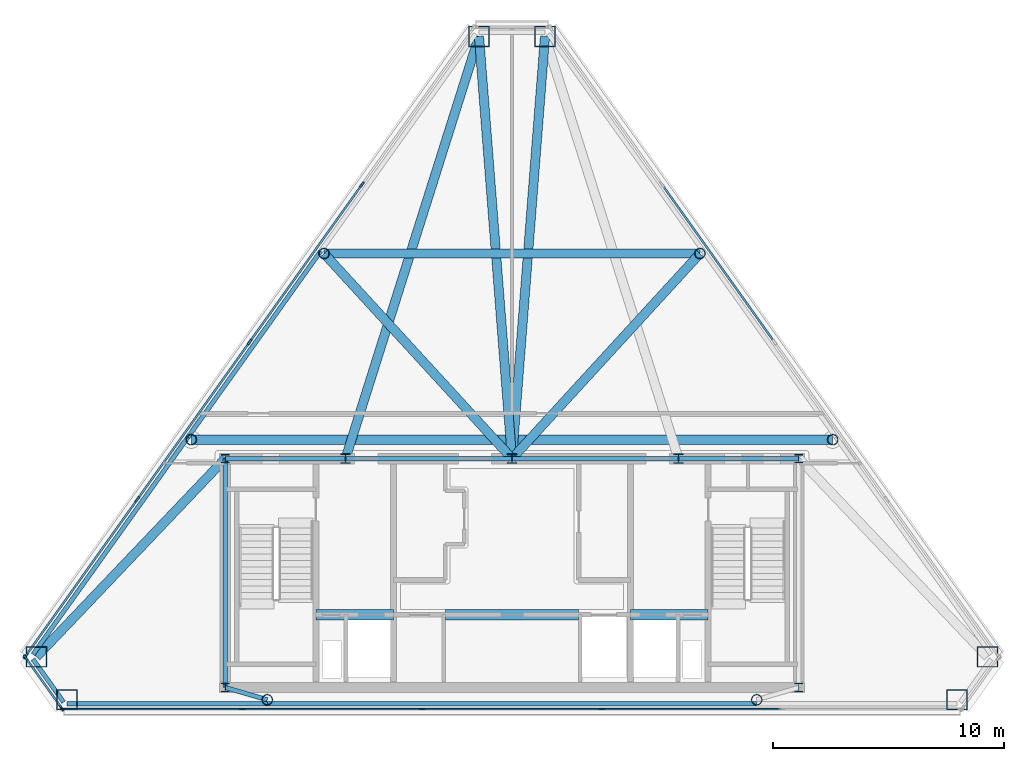
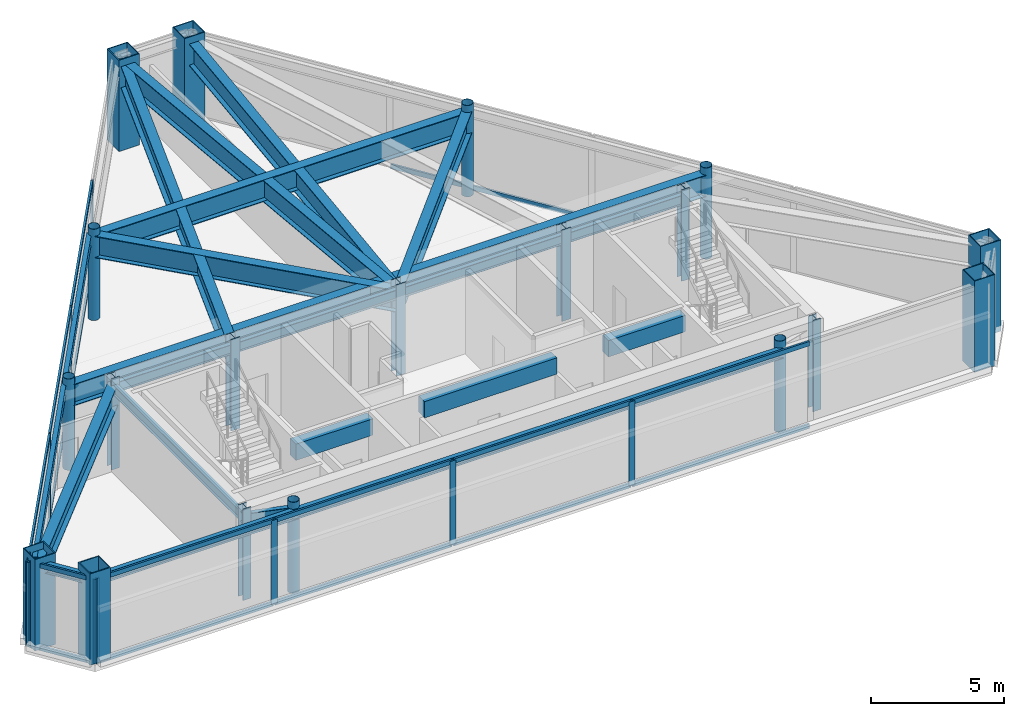
# One storey, part 1 of 5: 27 members, 22 beams, 19 columns, 4 elements without a shape of their own.
"""IFC4 building model written with IfcOpenShell, lengths in metres."""

from ifc_helpers import new_model, si_unit, direction, frame, origin, origin_2d, place, context, subcontext, project, spatial, rectangle, hollow_rectangle, hollow_circle, i_section, extrude, material, layer, layer_set, material_profile, profile_set, type_object, element, aggregate, save


model = new_model("IFC4")

# Units and contexts
model_context = context("Model", 3, precision=1e-05, world=origin(), true_north=direction((0.0, 1.0)))
body_context = subcontext(model_context, "Body", "Model", "MODEL_VIEW")
ifc_project = project(units=[si_unit("LENGTHUNIT", "METRE"), si_unit("AREAUNIT", "SQUARE_METRE"), si_unit("VOLUMEUNIT", "CUBIC_METRE"), si_unit("PLANEANGLEUNIT", "RADIAN"), si_unit("MASSUNIT", "GRAM", prefix="KILO")], contexts=[model_context])

# Site, building, storey
site_placement = place(None, origin())
site = spatial("IfcSite", under=ifc_project, at=site_placement, CompositionType="ELEMENT")
building_placement = place(site_placement, origin())
building = spatial("IfcBuilding", under=site, at=building_placement, Name="Talgorran Terracotta Tower", CompositionType="ELEMENT")
storey_placement = place(building_placement, frame((0.0, 0.0, 301.800048828125)))
storey = spatial("IfcBuildingStorey", under=building, at=storey_placement, Name="L79", CompositionType="ELEMENT", Elevation=301.800048828125)

# Columns
ifc_material_1 = material(Name="Steel S355 (300PLUS)", Category="steel")
ifc_material_profile_1 = material_profile(ifc_material_1, i_section(OverallWidth=0.35205078125, OverallDepth=0.35888671875, WebThickness=0.01806640625, FlangeThickness=0.02587890625, at=origin_2d()), Name="350WC197")
ifc_profile_set_1 = profile_set([ifc_material_profile_1], Name="Steel S355 (300PLUS)")
column_type_1 = type_object("IfcColumnType", Name="COL_350WC197", PredefinedType="COLUMN", material=ifc_profile_set_1)
for number, where, z_axis, x_axis, name in (
    (1, (-12.39990234375, -14.10009765625, 0.0), (0.0, 0.0, 1.0), (1.0, 0.0, 0.0), "L79 Core Boundary Column CC1"),
    (2, (12.39990234375, -14.10009765625, 0.0), (0.0, 0.0, 1.0), (1.0, 0.0, 0.0), "L79 Core Boundary Column CC2"),
    (3, (12.39990234375, -4.199951171875, 0.0), (0.0, 0.0, 1.0), (1.0, 0.0, 0.0), "L79 Core Boundary Column CC3"),
    (4, (-12.39990234375, -4.199951171875, 0.0), (0.0, 0.0, 1.0), (1.0, 0.0, 0.0), "L79 Core Boundary Column CC4"),
):
    element("IfcColumn", number, at=place(storey_placement, frame(where, z_axis=z_axis, x_axis=x_axis)), inside=storey, type_object=column_type_1, Name=name, PredefinedType="COLUMN", context=body_context, shape_type="SweptSolid", body=[
        extrude(i_section(OverallWidth=0.35205078125, OverallDepth=0.35888671875, WebThickness=0.01806640625, FlangeThickness=0.02587890625, at=origin_2d()), origin(), (0.0, 0.0, 1.0), 4.199951171875),
    ])
ifc_material_2 = material(Name="Steel Grade 350 (350L0)", Category="steel")
ifc_material_profile_2 = material_profile(ifc_material_2, hollow_rectangle(XDim=0.89990234375, YDim=0.89990234375, WallThickness=0.0400390625, at=origin_2d()), Name="CFT900X900X40")
ifc_profile_set_2 = profile_set([ifc_material_profile_2], Name="Steel Grade 350 (350L0)")
column_type_2 = type_object("IfcColumnType", Name="COL_CFT_900", PredefinedType="COLUMN", material=ifc_profile_set_2)
for number, where, z_axis, x_axis, name in (
    (5, (-20.566650390625, -12.774658203125, 0.0), (0.0, 0.0, 1.0), (1.0, 0.0, 0.0), "L79 Corner CFT Mega-Column MC1"),
    (6, (-19.242919921875, -14.6298828125, 0.0), (0.0, 0.0, 1.0), (1.0, 0.0, 0.0), "L79 Corner CFT Mega-Column MC2"),
    (7, (19.242919921875, -14.6298828125, 0.0), (0.0, 0.0, 1.0), (1.0, 0.0, 0.0), "L79 Corner CFT Mega-Column MC3"),
    (8, (20.566650390625, -12.774658203125, 0.0), (0.0, 0.0, 1.0), (1.0, 0.0, 0.0), "L79 Corner CFT Mega-Column MC4"),
    (9, (1.4267578125, 14.0546875, 0.0), (0.0, 0.0, 1.0), (1.0, 0.0, 0.0), "L79 Corner CFT Mega-Column MC5"),
    (10, (-1.4267578125, 14.0546875, 0.0), (0.0, 0.0, 1.0), (1.0, 0.0, 0.0), "L79 Corner CFT Mega-Column MC6"),
):
    element("IfcColumn", number, at=place(storey_placement, frame(where, z_axis=z_axis, x_axis=x_axis)), inside=storey, type_object=column_type_2, Name=name, PredefinedType="COLUMN", context=body_context, shape_type="SweptSolid", body=[
        extrude(hollow_rectangle(XDim=0.89990234375, YDim=0.89990234375, WallThickness=0.0400390625, at=origin_2d()), origin(), (0.0, 0.0, 1.0), 4.199951171875),
    ])
ifc_material_3 = material(Name="Steel S350 (C350L0)", Category="steel")
ifc_material_profile_3 = material_profile(ifc_material_3, hollow_circle(Radius=0.228515625, WallThickness=0.01611328125, at=origin_2d()), Name="CHS457X16")
ifc_profile_set_3 = profile_set([ifc_material_profile_3], Name="Steel S350 (C350L0)")
column_type_3 = type_object("IfcColumnType", Name="COL_CHS_457", PredefinedType="COLUMN", material=ifc_profile_set_3)
for number, where, z_axis, x_axis, name in (
    (11, (-10.58349609375, -14.6298828125, 0.0), (0.0, 0.0, 1.0), (1.0, 0.0, 0.0), "L79 Facet Perimeter Column FC1"),
    (12, (10.58349609375, -14.6298828125, 0.0), (0.0, 0.0, 1.0), (1.0, 0.0, 0.0), "L79 Facet Perimeter Column FC2"),
    (13, (13.86767578125, -3.384521484375, 0.0), (0.0, 0.0, 1.0), (1.0, 0.0, 0.0), "L79 Facet Perimeter Column FC3"),
    (14, (8.125732421875, 4.664306640625, 0.0), (0.0, 0.0, 1.0), (1.0, 0.0, 0.0), "L79 Facet Perimeter Column FC4"),
    (15, (-8.125732421875, 4.664306640625, 0.0), (0.0, 0.0, 1.0), (1.0, 0.0, 0.0), "L79 Facet Perimeter Column FC5"),
    (16, (-13.86767578125, -3.384521484375, 0.0), (0.0, 0.0, 1.0), (1.0, 0.0, 0.0), "L79 Facet Perimeter Column FC6"),
):
    element("IfcColumn", number, at=place(storey_placement, frame(where, z_axis=z_axis, x_axis=x_axis)), inside=storey, type_object=column_type_3, Name=name, PredefinedType="COLUMN", context=body_context, shape_type="SweptSolid", body=[
        extrude(hollow_circle(Radius=0.228515625, WallThickness=0.01611328125, at=origin_2d()), origin(), (0.0, 0.0, 1.0), 4.199951171875),
    ])
ifc_material_profile_4 = material_profile(ifc_material_1, i_section(OverallWidth=0.405029296875, OverallDepth=0.4140625, WebThickness=0.02197265625, FlangeThickness=0.031982421875, at=origin_2d()), Name="400WC270")
ifc_profile_set_4 = profile_set([ifc_material_profile_4], Name="Steel S355 (300PLUS)")
column_type_4 = type_object("IfcColumnType", Name="COL_PIL_400WC270", PredefinedType="PILASTER", material=ifc_profile_set_4)
for number, where, z_axis, x_axis, name in (
    (17, (-7.199951171875, -4.199951171875, 0.0), (0.0, 0.0, 1.0), (1.0, 0.0, 0.0), "L79 Core Shear Pilaster CP1"),
    (18, (0.0, -4.199951171875, 0.0), (0.0, 0.0, 1.0), (1.0, 0.0, 0.0), "L79 Core Shear Pilaster CP2"),
    (19, (7.199951171875, -4.199951171875, 0.0), (0.0, 0.0, 1.0), (1.0, 0.0, 0.0), "L79 Core Shear Pilaster CP3"),
):
    element("IfcColumn", number, at=place(storey_placement, frame(where, z_axis=z_axis, x_axis=x_axis)), inside=storey, type_object=column_type_4, Name=name, PredefinedType="PILASTER", context=body_context, shape_type="SweptSolid", body=[
        extrude(i_section(OverallWidth=0.405029296875, OverallDepth=0.4140625, WebThickness=0.02197265625, FlangeThickness=0.031982421875, at=origin_2d()), origin(), (0.0, 0.0, 1.0), 4.199951171875),
    ])

# Beams
ifc_material_profile_5 = material_profile(ifc_material_2, i_section(OverallWidth=0.39990234375, OverallDepth=1.0, WebThickness=0.01611328125, FlangeThickness=0.031005859375, at=origin_2d()), Name="1000WB296")
ifc_profile_set_5 = profile_set([ifc_material_profile_5], Name="Steel Grade 350 (350L0)")
beam_type_1 = type_object("IfcBeamType", Name="BM_1000WB296", PredefinedType="BEAM", material=ifc_profile_set_5)
beam_1_placement = place(storey_placement, frame((-7.199951171875, -4.199951171875, 3.3798828125), z_axis=(0.301538397756, 0.953454033857, 0.0), x_axis=(-0.953454033857, 0.301538397756, 0.0)))
element("IfcBeam", 20, at=beam_1_placement, inside=storey, type_object=beam_type_1, Name="L79 Observation/Crown Girder OG1", PredefinedType="BEAM", context=body_context, shape_type="SweptSolid", body=[
    extrude(i_section(OverallWidth=0.39990234375, OverallDepth=1.0, WebThickness=0.01611328125, FlangeThickness=0.031005859375, at=origin_2d()), origin(), (0.0, 0.0, 1.0), 19.145751953125),
])
for number, where, z_axis, x_axis, name in (
    (21, (0.0, -4.199951171875, 3.3798828125), (-0.077921005866, 0.996959536212, 0.0), (-0.996959536212, -0.077921005866, 0.0), "L79 Observation/Crown Girder OG1T"),
    (22, (0.0, -4.199951171875, 3.3798828125), (0.077921005866, 0.996959536212, 0.0), (-0.996959536212, 0.077921005866, 0.0), "L79 Observation/Crown Girder OG2T"),
):
    element("IfcBeam", number, at=place(storey_placement, frame(where, z_axis=z_axis, x_axis=x_axis)), inside=storey, type_object=beam_type_1, Name=name, PredefinedType="BEAM", context=body_context, shape_type="SweptSolid", body=[
        extrude(i_section(OverallWidth=0.39990234375, OverallDepth=1.0, WebThickness=0.01611328125, FlangeThickness=0.031005859375, at=origin_2d()), origin(), (0.0, 0.0, 1.0), 18.310302734375),
    ])
for number, where, z_axis, x_axis, name in (
    (23, (0.0, -4.199951171875, 3.3798828125), (-0.675731983394, 0.737147398163, 0.0), (-0.737147398163, -0.675731983394, 0.0), "L79 Observation/Crown Girder OG3"),
    (24, (0.0, -4.199951171875, 3.3798828125), (0.675731983394, 0.737147398163, 0.0), (-0.737147398163, 0.675731983394, 0.0), "L79 Observation/Crown Girder OG3B"),
):
    element("IfcBeam", number, at=place(storey_placement, frame(where, z_axis=z_axis, x_axis=x_axis)), inside=storey, type_object=beam_type_1, Name=name, PredefinedType="BEAM", context=body_context, shape_type="SweptSolid", body=[
        extrude(i_section(OverallWidth=0.39990234375, OverallDepth=1.0, WebThickness=0.01611328125, FlangeThickness=0.031005859375, at=origin_2d()), origin(), (0.0, 0.0, 1.0), 12.025146484375),
    ])
beam_2_placement = place(storey_placement, frame((-13.86767578125, -3.384521484375, 3.3798828125), z_axis=(1.0, 0.0, 0.0), x_axis=(0.0, 1.0, 0.0)))
element("IfcBeam", 25, at=beam_2_placement, inside=storey, type_object=beam_type_1, Name="L79 Observation/Crown Girder OG4", PredefinedType="BEAM", context=body_context, shape_type="SweptSolid", body=[
    extrude(i_section(OverallWidth=0.39990234375, OverallDepth=1.0, WebThickness=0.01611328125, FlangeThickness=0.031005859375, at=origin_2d()), origin(), (0.0, 0.0, 1.0), 27.7353515625),
])
beam_3_placement = place(storey_placement, frame((-8.125732421875, 4.664306640625, 3.3798828125), z_axis=(1.0, 0.0, 0.0), x_axis=(0.0, 1.0, 0.0)))
element("IfcBeam", 26, at=beam_3_placement, inside=storey, type_object=beam_type_1, Name="L79 Observation/Crown Girder OG5", PredefinedType="BEAM", context=body_context, shape_type="SweptSolid", body=[
    extrude(i_section(OverallWidth=0.39990234375, OverallDepth=1.0, WebThickness=0.01611328125, FlangeThickness=0.031005859375, at=origin_2d()), origin(), (0.0, 0.0, 1.0), 16.25146484375),
])
beam_4_placement = place(storey_placement, frame((-12.39990234375, -4.199951171875, 3.3798828125), z_axis=(-0.689671131697, -0.724122731382, 0.0), x_axis=(0.724122731382, -0.689671131697, 0.0)))
element("IfcBeam", 27, at=beam_4_placement, inside=storey, type_object=beam_type_1, Name="L79 Observation/Crown Girder OG6", PredefinedType="BEAM", context=body_context, shape_type="SweptSolid", body=[
    extrude(i_section(OverallWidth=0.39990234375, OverallDepth=1.0, WebThickness=0.01611328125, FlangeThickness=0.031005859375, at=origin_2d()), origin(), (0.0, 0.0, 1.0), 11.841552734375),
])
ifc_material_4 = material(Name="Concrete C50/60", Category="concrete")
ifc_material_profile_6 = material_profile(ifc_material_4, rectangle(XDim=0.449951171875, YDim=0.75, at=origin_2d()), Name="RCCB450X750")
ifc_profile_set_6 = profile_set([ifc_material_profile_6], Name="Concrete C50/60")
beam_type_2 = type_object("IfcBeamType", Name="BM_CB_450X750", PredefinedType="LINTEL", material=ifc_profile_set_6)
beam_5_placement = place(storey_placement, frame((-8.47998046875, -10.949951171875, 3.5048828125), z_axis=(1.0, 0.0, 0.0), x_axis=(0.0, 1.0, 0.0)))
element("IfcBeam", 28, at=beam_5_placement, inside=storey, type_object=beam_type_2, Name="L79 Core Shear-Wall Coupling Beam CB1", PredefinedType="LINTEL", context=body_context, shape_type="SweptSolid", body=[
    extrude(rectangle(XDim=0.449951171875, YDim=0.75, at=origin_2d()), origin(), (0.0, 0.0, 1.0), 3.35986328125),
])
beam_6_placement = place(storey_placement, frame((-2.8798828125, -10.949951171875, 3.5048828125), z_axis=(1.0, 0.0, 0.0), x_axis=(0.0, 1.0, 0.0)))
element("IfcBeam", 29, at=beam_6_placement, inside=storey, type_object=beam_type_2, Name="L79 Core Shear-Wall Coupling Beam CB2", PredefinedType="LINTEL", context=body_context, shape_type="SweptSolid", body=[
    extrude(rectangle(XDim=0.449951171875, YDim=0.75, at=origin_2d()), origin(), (0.0, 0.0, 1.0), 5.759765625),
])
beam_7_placement = place(storey_placement, frame((5.1201171875, -10.949951171875, 3.5048828125), z_axis=(1.0, 0.0, 0.0), x_axis=(0.0, 1.0, 0.0)))
element("IfcBeam", 30, at=beam_7_placement, inside=storey, type_object=beam_type_2, Name="L79 Core Shear-Wall Coupling Beam CB3", PredefinedType="LINTEL", context=body_context, shape_type="SweptSolid", body=[
    extrude(rectangle(XDim=0.449951171875, YDim=0.75, at=origin_2d()), origin(), (0.0, 0.0, 1.0), 3.35986328125),
])
ifc_material_profile_7 = material_profile(ifc_material_1, i_section(OverallWidth=0.18994140625, OverallDepth=0.45703125, WebThickness=0.009033203125, FlangeThickness=0.014404296875, at=origin_2d()), Name="460UB74.6")
ifc_profile_set_7 = profile_set([ifc_material_profile_7], Name="Steel S355 (300PLUS)")
beam_type_3 = type_object("IfcBeamType", Name="BM_SP_460UB74", PredefinedType="SPANDREL", material=ifc_profile_set_7)
beam_8_placement = place(storey_placement, frame((-20.713134765625, -12.879150390625, 3.6513671875), z_axis=(0.580772007805, -0.814066259557, 0.0), x_axis=(0.814066259557, 0.580772007805, 0.0)))
element("IfcBeam", 31, at=beam_8_placement, inside=storey, type_object=beam_type_3, Name="L79 Perimeter Spandrel Beam MC1-MC2", PredefinedType="SPANDREL", context=body_context, shape_type="SweptSolid", body=[
    extrude(i_section(OverallWidth=0.18994140625, OverallDepth=0.45703125, WebThickness=0.009033203125, FlangeThickness=0.014404296875, at=origin_2d()), origin(), (0.0, 0.0, 1.0), 2.279296875),
])
beam_9_placement = place(storey_placement, frame((-19.242919921875, -14.81005859375, 3.6513671875), z_axis=(1.0, 0.0, 0.0), x_axis=(0.0, 1.0, 0.0)))
element("IfcBeam", 32, at=beam_9_placement, inside=storey, type_object=beam_type_3, Name="L79 Perimeter Spandrel Beam MC2-FC1", PredefinedType="SPANDREL", context=body_context, shape_type="SweptSolid", body=[
    extrude(i_section(OverallWidth=0.18994140625, OverallDepth=0.45703125, WebThickness=0.009033203125, FlangeThickness=0.014404296875, at=origin_2d()), origin(), (0.0, 0.0, 1.0), 8.659423828125),
])
beam_10_placement = place(storey_placement, frame((-10.58349609375, -14.81005859375, 3.6513671875), z_axis=(1.0, 0.0, 0.0), x_axis=(0.0, 1.0, 0.0)))
element("IfcBeam", 33, at=beam_10_placement, inside=storey, type_object=beam_type_3, Name="L79 Perimeter Spandrel Beam FC1-FC2", PredefinedType="SPANDREL", context=body_context, shape_type="SweptSolid", body=[
    extrude(i_section(OverallWidth=0.18994140625, OverallDepth=0.45703125, WebThickness=0.009033203125, FlangeThickness=0.014404296875, at=origin_2d()), origin(), (0.0, 0.0, 1.0), 21.1669921875),
])
beam_11_placement = place(storey_placement, frame((-8.272216796875, 4.768798828125, 3.6513671875), z_axis=(-0.58076625008, -0.814070367209, 0.0), x_axis=(0.814070367209, -0.58076625008, 0.0)))
element("IfcBeam", 34, at=beam_11_placement, inside=storey, type_object=beam_type_3, Name="L79 Perimeter Spandrel Beam FC5-FC6", PredefinedType="SPANDREL", context=body_context, shape_type="SweptSolid", body=[
    extrude(i_section(OverallWidth=0.18994140625, OverallDepth=0.45703125, WebThickness=0.009033203125, FlangeThickness=0.014404296875, at=origin_2d()), origin(), (0.0, 0.0, 1.0), 9.88671875),
])
beam_12_placement = place(storey_placement, frame((-14.01416015625, -3.27978515625, 3.6513671875), z_axis=(-0.580753577836, -0.81407940757, 0.0), x_axis=(0.81407940757, -0.580753577836, 0.0)))
element("IfcBeam", 35, at=beam_12_placement, inside=storey, type_object=beam_type_3, Name="L79 Perimeter Spandrel Beam FC6-MC1", PredefinedType="SPANDREL", context=body_context, shape_type="SweptSolid", body=[
    extrude(i_section(OverallWidth=0.18994140625, OverallDepth=0.45703125, WebThickness=0.009033203125, FlangeThickness=0.014404296875, at=origin_2d()), origin(), (0.0, 0.0, 1.0), 11.534912109375),
])
beam_13_placement = place(storey_placement, frame((-10.58349609375, -14.6298828125, 3.6513671875), z_axis=(-0.96, 0.28, 0.0), x_axis=(-0.28, -0.96, 0.0)))
element("IfcBeam", 36, at=beam_13_placement, inside=storey, type_object=beam_type_3, Name="L79 South-West Core Tie Beam", PredefinedType="SPANDREL", context=body_context, shape_type="SweptSolid", body=[
    extrude(i_section(OverallWidth=0.18994140625, OverallDepth=0.45703125, WebThickness=0.009033203125, FlangeThickness=0.014404296875, at=origin_2d()), origin(), (0.0, 0.0, 1.0), 1.89208984375),
])
beam_14_placement = place(storey_placement, frame((-12.39990234375, -14.10009765625, 3.6513671875), z_axis=(0.0, 1.0, 0.0), x_axis=(-1.0, 0.0, 0.0)))
element("IfcBeam", 37, at=beam_14_placement, inside=storey, type_object=beam_type_3, Name="L79 Core Frame Beam CFW", PredefinedType="SPANDREL", context=body_context, shape_type="SweptSolid", body=[
    extrude(i_section(OverallWidth=0.18994140625, OverallDepth=0.45703125, WebThickness=0.009033203125, FlangeThickness=0.014404296875, at=origin_2d()), origin(), (0.0, 0.0, 1.0), 9.900146484375),
])
beam_15_placement = place(storey_placement, frame((-12.39990234375, -4.199951171875, 3.6513671875), z_axis=(1.0, 0.0, 0.0), x_axis=(0.0, 1.0, 0.0)))
element("IfcBeam", 38, at=beam_15_placement, inside=storey, type_object=beam_type_3, Name="L79 Core Frame Beam CFN1", PredefinedType="SPANDREL", context=body_context, shape_type="SweptSolid", body=[
    extrude(i_section(OverallWidth=0.18994140625, OverallDepth=0.45703125, WebThickness=0.009033203125, FlangeThickness=0.014404296875, at=origin_2d()), origin(), (0.0, 0.0, 1.0), 5.199951171875),
])
for number, where, z_axis, x_axis, name in (
    (39, (-7.199951171875, -4.199951171875, 3.6513671875), (1.0, 0.0, 0.0), (0.0, 1.0, 0.0), "L79 Core Frame Beam CFN2"),
    (40, (0.0, -4.199951171875, 3.6513671875), (1.0, 0.0, 0.0), (0.0, 1.0, 0.0), "L79 Core Frame Beam CFN3"),
):
    element("IfcBeam", number, at=place(storey_placement, frame(where, z_axis=z_axis, x_axis=x_axis)), inside=storey, type_object=beam_type_3, Name=name, PredefinedType="SPANDREL", context=body_context, shape_type="SweptSolid", body=[
        extrude(i_section(OverallWidth=0.18994140625, OverallDepth=0.45703125, WebThickness=0.009033203125, FlangeThickness=0.014404296875, at=origin_2d()), origin(), (0.0, 0.0, 1.0), 7.199951171875),
    ])
beam_16_placement = place(storey_placement, frame((7.199951171875, -4.199951171875, 3.6513671875), z_axis=(1.0, 0.0, 0.0), x_axis=(0.0, 1.0, 0.0)))
element("IfcBeam", 41, at=beam_16_placement, inside=storey, type_object=beam_type_3, Name="L79 Core Frame Beam CFN4", PredefinedType="SPANDREL", context=body_context, shape_type="SweptSolid", body=[
    extrude(i_section(OverallWidth=0.18994140625, OverallDepth=0.45703125, WebThickness=0.009033203125, FlangeThickness=0.014404296875, at=origin_2d()), origin(), (0.0, 0.0, 1.0), 5.199951171875),
])

# Curtain wall, members
ifc_material_5 = material(Name="Anodised Aluminium Louvre", Category="aluminium")
ifc_layer = layer(ifc_material_5, 0.25, Name="CW_SYS4_LOUVRE")
ifc_layer_set = layer_set([ifc_layer], Name="Anodised Aluminium Louvre")
curtain_wall_type = type_object("IfcCurtainWallType", Name="CW_SYS4_LOUVRE", PredefinedType="NOTDEFINED", material=ifc_layer_set)
curtain_wall_1_placement = place(storey_placement, origin())
curtain_wall_1 = element("IfcCurtainWall", 42, at=curtain_wall_1_placement, inside=storey, type_object=curtain_wall_type, Name="CW-L79-F0", PredefinedType="NOTDEFINED")
ifc_material_6 = material(Name="Architectural Aluminium 6063-T6", Category="aluminium")
ifc_material_profile_8 = material_profile(ifc_material_6, rectangle(XDim=0.0849609375, YDim=0.260009765625, at=origin_2d()), Name="CWM85X260")
ifc_profile_set_8 = profile_set([ifc_material_profile_8], Name="Architectural Aluminium 6063-T6")
member_type_1 = type_object("IfcMemberType", Name="MUL_85X260", PredefinedType="MULLION", material=ifc_profile_set_8)
member_1_placement = place(storey_placement, frame((-21.033203125, -12.80908203125, 0.0), z_axis=(0.0, 0.0, 1.0), x_axis=(0.814074765018, 0.580760085543, 0.0)))
member_1 = element("IfcMember", 43, at=member_1_placement, type_object=member_type_1, Name="CW-L79-0 mullion 1", PredefinedType="MULLION", context=body_context, shape_type="SweptSolid", body=[
    extrude(rectangle(XDim=0.0849609375, YDim=0.260009765625, at=origin_2d()), origin(), (0.0, 0.0, 1.0), 3.8798828125),
])
member_2_placement = place(storey_placement, frame((-19.4736328125, -14.995361328125, 0.0), z_axis=(0.0, 0.0, 1.0), x_axis=(0.814074765018, 0.580760085543, 0.0)))
member_2 = element("IfcMember", 44, at=member_2_placement, type_object=member_type_1, Name="CW-L79-0 mullion 2", PredefinedType="MULLION", context=body_context, shape_type="SweptSolid", body=[
    extrude(rectangle(XDim=0.0849609375, YDim=0.260009765625, at=origin_2d()), origin(), (0.0, 0.0, 1.0), 3.8798828125),
])

curtain_wall_2_placement = place(storey_placement, origin())
curtain_wall_2 = element("IfcCurtainWall", 45, at=curtain_wall_2_placement, inside=storey, type_object=curtain_wall_type, Name="CW-L79-F1", PredefinedType="NOTDEFINED")
member_3_placement = place(storey_placement, frame((-19.406494140625, -15.030029296875, 0.0), z_axis=(0.0, 0.0, 1.0), x_axis=(0.0, 1.0, 0.0)))
member_3 = element("IfcMember", 46, at=member_3_placement, type_object=member_type_1, Name="CW-L79-1 mullion 1", PredefinedType="MULLION", context=body_context, shape_type="SweptSolid", body=[
    extrude(rectangle(XDim=0.0849609375, YDim=0.260009765625, at=origin_2d()), origin(), (0.0, 0.0, 1.0), 3.8798828125),
])
member_4_placement = place(storey_placement, frame((-11.66943359375, -15.030029296875, 0.0), z_axis=(0.0, 0.0, 1.0), x_axis=(0.0, 1.0, 0.0)))
member_4 = element("IfcMember", 47, at=member_4_placement, type_object=member_type_1, Name="CW-L79-1 mullion 2", PredefinedType="MULLION", context=body_context, shape_type="SweptSolid", body=[
    extrude(rectangle(XDim=0.0849609375, YDim=0.260009765625, at=origin_2d()), origin(), (0.0, 0.0, 1.0), 3.8798828125),
])
member_5_placement = place(storey_placement, frame((-3.889892578125, -15.030029296875, 0.0), z_axis=(0.0, 0.0, 1.0), x_axis=(0.0, 1.0, 0.0)))
member_5 = element("IfcMember", 48, at=member_5_placement, type_object=member_type_1, Name="CW-L79-1 mullion 3", PredefinedType="MULLION", context=body_context, shape_type="SweptSolid", body=[
    extrude(rectangle(XDim=0.0849609375, YDim=0.260009765625, at=origin_2d()), origin(), (0.0, 0.0, 1.0), 3.8798828125),
])
member_6_placement = place(storey_placement, frame((3.889892578125, -15.030029296875, 0.0), z_axis=(0.0, 0.0, 1.0), x_axis=(0.0, 1.0, 0.0)))
member_6 = element("IfcMember", 49, at=member_6_placement, type_object=member_type_1, Name="CW-L79-1 mullion 4", PredefinedType="MULLION", context=body_context, shape_type="SweptSolid", body=[
    extrude(rectangle(XDim=0.0849609375, YDim=0.260009765625, at=origin_2d()), origin(), (0.0, 0.0, 1.0), 3.8798828125),
])

curtain_wall_3_placement = place(storey_placement, origin())
curtain_wall_3 = element("IfcCurtainWall", 50, at=curtain_wall_3_placement, inside=storey, type_object=curtain_wall_type, Name="CW-L79-F5", PredefinedType="NOTDEFINED")
member_7_placement = place(storey_placement, frame((-6.489013671875, 7.647216796875, 0.0), z_axis=(0.0, 0.0, 1.0), x_axis=(0.814075935218, -0.580758445224, 0.0)))
member_7 = element("IfcMember", 51, at=member_7_placement, type_object=member_type_1, Name="CW-L79-5 mullion 2", PredefinedType="MULLION", context=body_context, shape_type="SweptSolid", body=[
    extrude(rectangle(XDim=0.0849609375, YDim=0.260009765625, at=origin_2d()), origin(), (0.0, 0.0, 1.0), 3.8798828125),
])
member_8_placement = place(storey_placement, frame((-11.345458984375, 0.840087890625, 0.0), z_axis=(0.0, 0.0, 1.0), x_axis=(0.814075935218, -0.580758445224, 0.0)))
member_8 = element("IfcMember", 52, at=member_8_placement, type_object=member_type_1, Name="CW-L79-5 mullion 3", PredefinedType="MULLION", context=body_context, shape_type="SweptSolid", body=[
    extrude(rectangle(XDim=0.0849609375, YDim=0.260009765625, at=origin_2d()), origin(), (0.0, 0.0, 1.0), 3.8798828125),
])
member_9_placement = place(storey_placement, frame((-16.20166015625, -5.96728515625, 0.0), z_axis=(0.0, 0.0, 1.0), x_axis=(0.814075935218, -0.580758445224, 0.0)))
member_9 = element("IfcMember", 53, at=member_9_placement, type_object=member_type_1, Name="CW-L79-5 mullion 4", PredefinedType="MULLION", context=body_context, shape_type="SweptSolid", body=[
    extrude(rectangle(XDim=0.0849609375, YDim=0.260009765625, at=origin_2d()), origin(), (0.0, 0.0, 1.0), 3.8798828125),
])
member_10_placement = place(storey_placement, frame((-21.033203125, -12.739990234375, 0.0), z_axis=(0.0, 0.0, 1.0), x_axis=(0.814075935218, -0.580758445224, 0.0)))
member_10 = element("IfcMember", 54, at=member_10_placement, type_object=member_type_1, Name="CW-L79-5 mullion 5", PredefinedType="MULLION", context=body_context, shape_type="SweptSolid", body=[
    extrude(rectangle(XDim=0.0849609375, YDim=0.260009765625, at=origin_2d()), origin(), (0.0, 0.0, 1.0), 3.8798828125),
])

# Member
ifc_material_profile_9 = material_profile(ifc_material_6, rectangle(XDim=0.0849609375, YDim=0.2099609375, at=origin_2d()), Name="CWT85X210")
ifc_profile_set_9 = profile_set([ifc_material_profile_9], Name="Architectural Aluminium 6063-T6")
member_type_2 = type_object("IfcMemberType", Name="TRN_85X210", PredefinedType="USERDEFINED", material=ifc_profile_set_9)
member_11_placement = place(storey_placement, frame((-21.008544921875, -12.84375, 0.04248046875), z_axis=(0.580767406983, -0.814069541861, 0.0), x_axis=(0.814069541861, 0.580767406983, 0.0)))
member_11 = element("IfcMember", 55, at=member_11_placement, type_object=member_type_2, Name="CW-L79-0 transom 1.1", ObjectType="TRANSOM", PredefinedType="USERDEFINED", context=body_context, shape_type="SweptSolid", body=[
    extrude(rectangle(XDim=0.0849609375, YDim=0.2099609375, at=origin_2d()), origin(), (0.0, 0.0, 1.0), 2.600341796875),
])

member_12_placement = place(storey_placement, frame((-21.008544921875, -12.84375, 3.83740234375), z_axis=(0.580767406983, -0.814069541861, 0.0), x_axis=(0.814069541861, 0.580767406983, 0.0)))
member_12 = element("IfcMember", 56, at=member_12_placement, type_object=member_type_2, Name="CW-L79-0 transom 1.2", ObjectType="TRANSOM", PredefinedType="USERDEFINED", context=body_context, shape_type="SweptSolid", body=[
    extrude(rectangle(XDim=0.0849609375, YDim=0.2099609375, at=origin_2d()), origin(), (0.0, 0.0, 1.0), 2.600341796875),
])

aggregate(curtain_wall_1, [member_1, member_2, member_11, member_12])

member_13_placement = place(storey_placement, frame((-19.364013671875, -15.030029296875, 0.04248046875), z_axis=(1.0, 0.0, 0.0), x_axis=(0.0, 1.0, 0.0)))
member_13 = element("IfcMember", 57, at=member_13_placement, type_object=member_type_2, Name="CW-L79-1 transom 1.1", ObjectType="TRANSOM", PredefinedType="USERDEFINED", context=body_context, shape_type="SweptSolid", body=[
    extrude(rectangle(XDim=0.0849609375, YDim=0.2099609375, at=origin_2d()), origin(), (0.0, 0.0, 1.0), 7.652099609375),
])

member_14_placement = place(storey_placement, frame((-19.364013671875, -15.030029296875, 3.83740234375), z_axis=(1.0, 0.0, 0.0), x_axis=(0.0, 1.0, 0.0)))
member_14 = element("IfcMember", 58, at=member_14_placement, type_object=member_type_2, Name="CW-L79-1 transom 1.2", ObjectType="TRANSOM", PredefinedType="USERDEFINED", context=body_context, shape_type="SweptSolid", body=[
    extrude(rectangle(XDim=0.0849609375, YDim=0.2099609375, at=origin_2d()), origin(), (0.0, 0.0, 1.0), 7.652099609375),
])

member_15_placement = place(storey_placement, frame((-11.626953125, -15.030029296875, 0.04248046875), z_axis=(1.0, 0.0, 0.0), x_axis=(0.0, 1.0, 0.0)))
member_15 = element("IfcMember", 59, at=member_15_placement, type_object=member_type_2, Name="CW-L79-1 transom 2.1", ObjectType="TRANSOM", PredefinedType="USERDEFINED", context=body_context, shape_type="SweptSolid", body=[
    extrude(rectangle(XDim=0.0849609375, YDim=0.2099609375, at=origin_2d()), origin(), (0.0, 0.0, 1.0), 7.694580078125),
])

member_16_placement = place(storey_placement, frame((-11.626953125, -15.030029296875, 3.83740234375), z_axis=(1.0, 0.0, 0.0), x_axis=(0.0, 1.0, 0.0)))
member_16 = element("IfcMember", 60, at=member_16_placement, type_object=member_type_2, Name="CW-L79-1 transom 2.2", ObjectType="TRANSOM", PredefinedType="USERDEFINED", context=body_context, shape_type="SweptSolid", body=[
    extrude(rectangle(XDim=0.0849609375, YDim=0.2099609375, at=origin_2d()), origin(), (0.0, 0.0, 1.0), 7.694580078125),
])

member_17_placement = place(storey_placement, frame((-3.847412109375, -15.030029296875, 0.04248046875), z_axis=(1.0, 0.0, 0.0), x_axis=(0.0, 1.0, 0.0)))
member_17 = element("IfcMember", 61, at=member_17_placement, type_object=member_type_2, Name="CW-L79-1 transom 3.1", ObjectType="TRANSOM", PredefinedType="USERDEFINED", context=body_context, shape_type="SweptSolid", body=[
    extrude(rectangle(XDim=0.0849609375, YDim=0.2099609375, at=origin_2d()), origin(), (0.0, 0.0, 1.0), 7.69482421875),
])

member_18_placement = place(storey_placement, frame((-3.847412109375, -15.030029296875, 3.83740234375), z_axis=(1.0, 0.0, 0.0), x_axis=(0.0, 1.0, 0.0)))
member_18 = element("IfcMember", 62, at=member_18_placement, type_object=member_type_2, Name="CW-L79-1 transom 3.2", ObjectType="TRANSOM", PredefinedType="USERDEFINED", context=body_context, shape_type="SweptSolid", body=[
    extrude(rectangle(XDim=0.0849609375, YDim=0.2099609375, at=origin_2d()), origin(), (0.0, 0.0, 1.0), 7.69482421875),
])

member_19_placement = place(storey_placement, frame((3.932373046875, -15.030029296875, 0.04248046875), z_axis=(1.0, 0.0, 0.0), x_axis=(0.0, 1.0, 0.0)))
member_19 = element("IfcMember", 63, at=member_19_placement, type_object=member_type_2, Name="CW-L79-1 transom 4.1", ObjectType="TRANSOM", PredefinedType="USERDEFINED", context=body_context, shape_type="SweptSolid", body=[
    extrude(rectangle(XDim=0.0849609375, YDim=0.2099609375, at=origin_2d()), origin(), (0.0, 0.0, 1.0), 7.694580078125),
])

member_20_placement = place(storey_placement, frame((3.932373046875, -15.030029296875, 3.83740234375), z_axis=(1.0, 0.0, 0.0), x_axis=(0.0, 1.0, 0.0)))
member_20 = element("IfcMember", 64, at=member_20_placement, type_object=member_type_2, Name="CW-L79-1 transom 4.2", ObjectType="TRANSOM", PredefinedType="USERDEFINED", context=body_context, shape_type="SweptSolid", body=[
    extrude(rectangle(XDim=0.0849609375, YDim=0.2099609375, at=origin_2d()), origin(), (0.0, 0.0, 1.0), 7.694580078125),
])

aggregate(curtain_wall_2, [member_3, member_4, member_5, member_6, member_13, member_14, member_15, member_16, member_17, member_18, member_19, member_20])

# Curtain wall, member
curtain_wall_4_placement = place(storey_placement, origin())
curtain_wall_4 = element("IfcCurtainWall", 65, at=curtain_wall_4_placement, inside=storey, type_object=curtain_wall_type, Name="CW-L79-F3", PredefinedType="NOTDEFINED")
member_21_placement = place(storey_placement, frame((11.32080078125, 0.87451171875, 0.04248046875), z_axis=(-0.580763777589, 0.814072131104, 0.0), x_axis=(-0.814072131104, -0.580763777589, 0.0)))
member_21 = element("IfcMember", 66, at=member_21_placement, type_object=member_type_2, Name="CW-L79-3 transom 3.1", ObjectType="TRANSOM", PredefinedType="USERDEFINED", context=body_context, shape_type="SweptSolid", body=[
    extrude(rectangle(XDim=0.0849609375, YDim=0.2099609375, at=origin_2d()), origin(), (0.0, 0.0, 1.0), 8.27734375),
])
aggregate(curtain_wall_4, [member_21])

# Member
member_22_placement = place(storey_placement, frame((-6.513671875, 7.61279296875, 0.04248046875), z_axis=(-0.580763777589, -0.814072131104, 0.0), x_axis=(0.814072131104, -0.580763777589, 0.0)))
member_22 = element("IfcMember", 67, at=member_22_placement, type_object=member_type_2, Name="CW-L79-5 transom 2.1", ObjectType="TRANSOM", PredefinedType="USERDEFINED", context=body_context, shape_type="SweptSolid", body=[
    extrude(rectangle(XDim=0.0849609375, YDim=0.2099609375, at=origin_2d()), origin(), (0.0, 0.0, 1.0), 8.27734375),
])

member_23_placement = place(storey_placement, frame((-6.513671875, 7.61279296875, 3.83740234375), z_axis=(-0.580763777589, -0.814072131104, 0.0), x_axis=(0.814072131104, -0.580763777589, 0.0)))
member_23 = element("IfcMember", 68, at=member_23_placement, type_object=member_type_2, Name="CW-L79-5 transom 2.2", ObjectType="TRANSOM", PredefinedType="USERDEFINED", context=body_context, shape_type="SweptSolid", body=[
    extrude(rectangle(XDim=0.0849609375, YDim=0.2099609375, at=origin_2d()), origin(), (0.0, 0.0, 1.0), 8.27734375),
])

member_24_placement = place(storey_placement, frame((-11.3701171875, 0.805419921875, 0.04248046875), z_axis=(-0.580758175294, -0.814076127785, 0.0), x_axis=(0.814076127785, -0.580758175294, 0.0)))
member_24 = element("IfcMember", 69, at=member_24_placement, type_object=member_type_2, Name="CW-L79-5 transom 3.1", ObjectType="TRANSOM", PredefinedType="USERDEFINED", context=body_context, shape_type="SweptSolid", body=[
    extrude(rectangle(XDim=0.0849609375, YDim=0.2099609375, at=origin_2d()), origin(), (0.0, 0.0, 1.0), 8.27685546875),
])

member_25_placement = place(storey_placement, frame((-11.3701171875, 0.805419921875, 3.83740234375), z_axis=(-0.580758175294, -0.814076127785, 0.0), x_axis=(0.814076127785, -0.580758175294, 0.0)))
member_25 = element("IfcMember", 70, at=member_25_placement, type_object=member_type_2, Name="CW-L79-5 transom 3.2", ObjectType="TRANSOM", PredefinedType="USERDEFINED", context=body_context, shape_type="SweptSolid", body=[
    extrude(rectangle(XDim=0.0849609375, YDim=0.2099609375, at=origin_2d()), origin(), (0.0, 0.0, 1.0), 8.27685546875),
])

member_26_placement = place(storey_placement, frame((-16.226318359375, -6.001953125, 0.04248046875), z_axis=(-0.580764112187, -0.8140718924, 0.0), x_axis=(0.8140718924, -0.580764112187, 0.0)))
member_26 = element("IfcMember", 71, at=member_26_placement, type_object=member_type_2, Name="CW-L79-5 transom 4.1", ObjectType="TRANSOM", PredefinedType="USERDEFINED", context=body_context, shape_type="SweptSolid", body=[
    extrude(rectangle(XDim=0.0849609375, YDim=0.2099609375, at=origin_2d()), origin(), (0.0, 0.0, 1.0), 8.234375),
])

member_27_placement = place(storey_placement, frame((-16.226318359375, -6.001953125, 3.83740234375), z_axis=(-0.580764112187, -0.8140718924, 0.0), x_axis=(0.8140718924, -0.580764112187, 0.0)))
member_27 = element("IfcMember", 72, at=member_27_placement, type_object=member_type_2, Name="CW-L79-5 transom 4.2", ObjectType="TRANSOM", PredefinedType="USERDEFINED", context=body_context, shape_type="SweptSolid", body=[
    extrude(rectangle(XDim=0.0849609375, YDim=0.2099609375, at=origin_2d()), origin(), (0.0, 0.0, 1.0), 8.234375),
])

aggregate(curtain_wall_3, [member_7, member_8, member_9, member_10, member_22, member_23, member_24, member_25, member_26, member_27])

save(model, "model.ifc")
